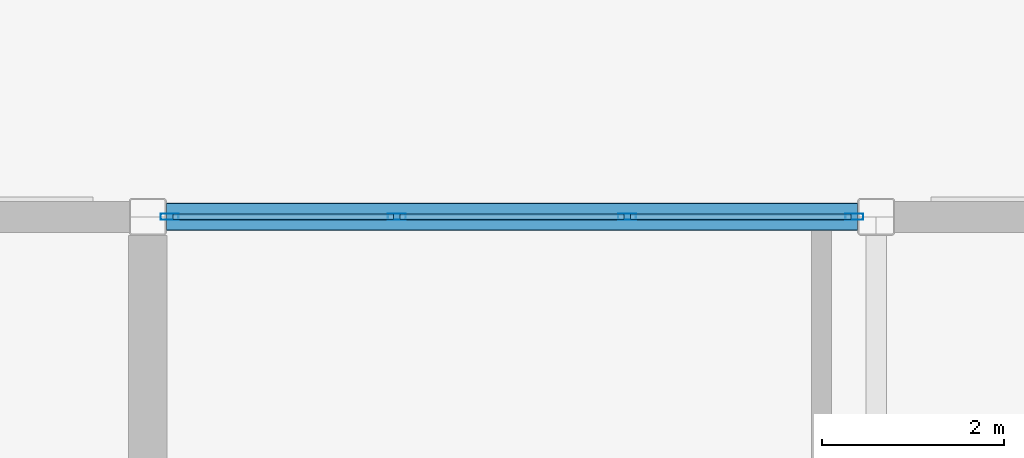
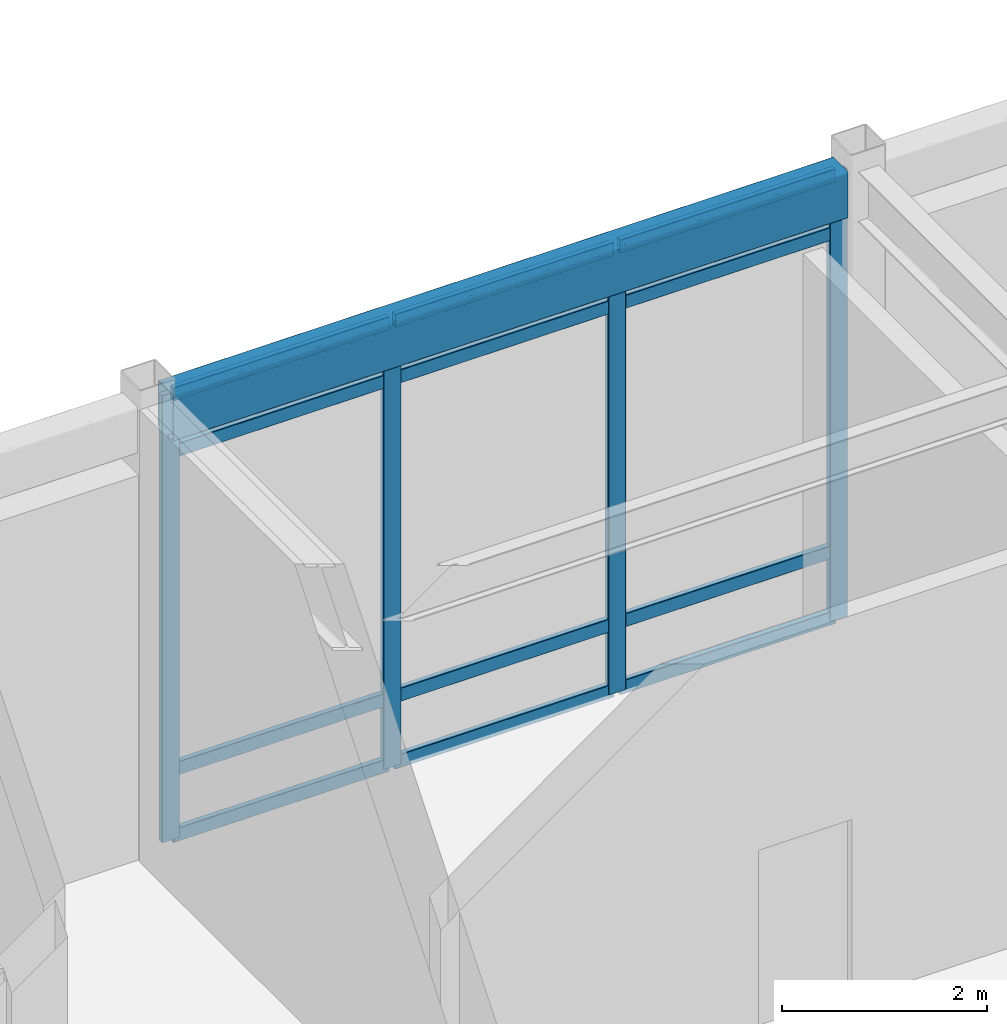
# One storey, part 89 of 128: 16 members, 1 beam, 1 element without a shape of its own.
"""IFC4 building model written with IfcOpenShell, lengths in metres."""

import ifcopenshell
import ifcopenshell.guid

model = None  # the IFC model being written
_history = None  # IfcOwnerHistory: only IFC2X3 demands one
_inside = {}  # id of a spatial element -> (the spatial element, [elements in it])
_under = {}  # id of a project, library or spatial element -> (it, [spatial elements below it])
_declared = {}  # id of a project -> (the project, [libraries it declares])
_typed = {}  # id of a type object -> (the type object, [elements of that type])
_made_of = {}  # id of a material, layer set ... -> (it, [elements and type objects made of it])


def new_model(schema):
    """Start an empty IFC model of exactly this schema.

    Asked for "IFC4X3", IfcOpenShell would pick the latest addendum, in which some entities
    have other attributes; the version numbers below select the first issue.
    IFC2X3 requires an IfcOwnerHistory on every rooted entity: one is made here for all.
    """
    global model, _history
    if schema == "IFC4X3":
        model = ifcopenshell.file(schema_version=(4, 3, 0, 0))
    else:
        model = ifcopenshell.file(schema=schema)
    _inside.clear()
    _under.clear()
    _declared.clear()
    _typed.clear()
    _made_of.clear()
    _history = None
    if model.schema == "IFC2X3":
        org = make("IfcOrganization", Name="unknown")
        user = make(
            "IfcPersonAndOrganization",
            ThePerson=make("IfcPerson", FamilyName="unknown"),
            TheOrganization=org,
        )
        app = make(
            "IfcApplication",
            ApplicationDeveloper=org,
            Version="unknown",
            ApplicationFullName="unknown",
            ApplicationIdentifier="unknown",
        )
        _history = make(
            "IfcOwnerHistory",
            OwningUser=user,
            OwningApplication=app,
            ChangeAction="ADDED",
            CreationDate=0,
        )
    return model


def make(cls, **values):
    """One entity of the class cls with the attributes given. An attribute that is None is left unset."""
    return model.create_entity(
        cls, **{name: value for name, value in values.items() if value is not None}
    )


def rooted(cls, **values):
    """An entity with a GlobalId (a new one), such as an element, a storey or a relation."""
    return make(cls, GlobalId=ifcopenshell.guid.new(), OwnerHistory=_history, **values)


def si_unit(unit_type, name, prefix=None):
    """IfcSIUnit, for example si_unit("LENGTHUNIT", "METRE", prefix="MILLI")."""
    return make("IfcSIUnit", UnitType=unit_type, Prefix=prefix, Name=name)


def assignment(units):
    """IfcUnitAssignment: the units of a project."""
    return None if units is None else make("IfcUnitAssignment", Units=units)


def point(xyz):
    """IfcCartesianPoint."""
    return None if xyz is None else make("IfcCartesianPoint", Coordinates=xyz)


def direction(xyz):
    """IfcDirection."""
    return None if xyz is None else make("IfcDirection", DirectionRatios=xyz)


def frame(location, z_axis=None, x_axis=None):
    """IfcAxis2Placement3D, a coordinate frame: its origin and axes. An axis left out is left unset."""
    return make(
        "IfcAxis2Placement3D",
        Location=point(location),
        Axis=direction(z_axis),
        RefDirection=direction(x_axis),
    )


def frame_2d(location, x_axis=None):
    """IfcAxis2Placement2D, a coordinate frame in the plane: its origin and x axis."""
    return make(
        "IfcAxis2Placement2D", Location=point(location), RefDirection=direction(x_axis)
    )


def origin():
    """The frame at (0, 0, 0) with its axes left unset."""
    return frame((0.0, 0.0, 0.0))


def origin_2d():
    """The frame at (0, 0) in the plane with its x axis left unset."""
    return frame_2d((0.0, 0.0))


def place(relative_to, where):
    """IfcLocalPlacement: puts the frame where relative to a parent placement (None: the world)."""
    return make(
        "IfcLocalPlacement", PlacementRelTo=relative_to, RelativePlacement=where
    )


def context(
    kind, dimensions, precision=None, world=None, true_north=None, identifier=None
):
    """IfcGeometricRepresentationContext, for example the 3D "Model" context."""
    return make(
        "IfcGeometricRepresentationContext",
        ContextIdentifier=identifier,
        ContextType=kind,
        CoordinateSpaceDimension=dimensions,
        Precision=precision,
        WorldCoordinateSystem=world,
        TrueNorth=true_north,
    )


def subcontext(parent, identifier, kind, view, scale=None):
    """IfcGeometricRepresentationSubContext, for example "Body" below "Model"."""
    return make(
        "IfcGeometricRepresentationSubContext",
        ContextIdentifier=identifier,
        ContextType=kind,
        ParentContext=parent,
        TargetScale=scale,
        TargetView=view,
    )


def project(units=None, contexts=None):
    """IfcProject with its units and contexts."""
    return rooted(
        "IfcProject",
        Name="project",
        RepresentationContexts=contexts,
        UnitsInContext=assignment(units),
    )


def spatial(cls, under=None, at=None, **own):
    """A site, building, storey or space (cls), placed at a placement, below another one or the project."""
    s = rooted(cls, ObjectPlacement=at, **own)
    if under is not None:
        _under.setdefault(under.id(), (under, []))[1].append(s)
    return s


def profile(cls, at=None, kind="AREA", **sizes):
    """A parametric profile (cls). Its sizes go by their IFC names, for example OverallWidth=200.0."""
    return make(cls, ProfileType=kind, Position=at, **sizes)


def hollow_rectangle(**sizes):
    """IfcRectangleHollowProfileDef."""
    return profile("IfcRectangleHollowProfileDef", **sizes)


def extrude(swept, where, along, depth):
    """IfcExtrudedAreaSolid: the profile swept, set in the frame where, extruded along a direction by depth."""
    return make(
        "IfcExtrudedAreaSolid",
        SweptArea=swept,
        Position=where,
        ExtrudedDirection=direction(along),
        Depth=depth,
    )


def shape(context_of_items, identifier, shape_type, items):
    """IfcShapeRepresentation: the items that make up one representation, for example the "Body"."""
    return make(
        "IfcShapeRepresentation",
        ContextOfItems=context_of_items,
        RepresentationIdentifier=identifier,
        RepresentationType=shape_type,
        Items=items,
    )


def material(Name=None, Category=None):
    """IfcMaterial."""
    return make("IfcMaterial", Name=Name, Category=Category)


def material_profile(
    of_material, cross_section, Name=None, Category=None, Priority=None
):
    """IfcMaterialProfile: a cross section and its material."""
    return make(
        "IfcMaterialProfile",
        Name=Name,
        Material=of_material,
        Profile=cross_section,
        Priority=Priority,
        Category=Category,
    )


def profile_set(profiles, Name=None, composite=None):
    """IfcMaterialProfileSet."""
    return make(
        "IfcMaterialProfileSet",
        Name=Name,
        MaterialProfiles=profiles,
        CompositeProfile=composite,
    )


def made_of(thing, what):
    """Note that an element or type object is made of a material, layer set ...; save() writes the relation."""
    if what is not None:
        _made_of.setdefault(what.id(), (what, []))[1].append(thing)
    return thing


def type_object(cls, material=None, **own):
    """A type object (cls), such as IfcWallType, which elements share."""
    return made_of(rooted(cls, **own), material)


def element(
    cls,
    number,
    at=None,
    inside=None,
    cuts=None,
    type_object=None,
    material=None,
    context=None,
    identifier="Body",
    shape_type=None,
    held_by="IfcProductDefinitionShape",
    body=None,
    shapes=None,
    **own,
):
    """One element of the class cls, such as IfcWall. Its Tag is "e" and its number.

    at: its placement. inside: the storey or other place that contains it. cuts: it is an
    opening in that element (IfcRelVoidsElement). A single representation is given by context,
    identifier, shape_type and body (its items); several are given by shapes. held_by: the class
    of the entity that holds the representations. save() writes the other relations.
    """
    e = rooted(cls, Tag="e%d" % number, ObjectPlacement=at, **own)
    if body is not None:
        shapes = [shape(context, identifier, shape_type, body)]
    if shapes is not None:
        e.Representation = make(held_by, Representations=shapes)
    if inside is not None:
        _inside.setdefault(inside.id(), (inside, []))[1].append(e)
    if cuts is not None:
        rooted(
            "IfcRelVoidsElement", RelatingBuildingElement=cuts, RelatedOpeningElement=e
        )
    if type_object is not None:
        _typed.setdefault(type_object.id(), (type_object, []))[1].append(e)
    return made_of(e, material)


def aggregate(whole, parts):
    """IfcRelAggregates: a whole, such as a stair, and the parts it consists of."""
    return rooted("IfcRelAggregates", RelatingObject=whole, RelatedObjects=parts)


def save(model, path):
    """Write the relations noted so far, then the file.

    IfcRelAggregates (storeys below a building ...), IfcRelContainedInSpatialStructure (elements
    in a storey), IfcRelDefinesByType, IfcRelAssociatesMaterial and IfcRelDeclares: one each for
    every whole, place, type object, material and project.
    """
    for whole, parts in _under.values():
        aggregate(whole, parts)
    for where, things in _inside.values():
        rooted(
            "IfcRelContainedInSpatialStructure",
            RelatedElements=things,
            RelatingStructure=where,
        )
    for kind, things in _typed.values():
        rooted("IfcRelDefinesByType", RelatedObjects=things, RelatingType=kind)
    for what, things in _made_of.values():
        rooted("IfcRelAssociatesMaterial", RelatedObjects=things, RelatingMaterial=what)
    for by, libraries in _declared.values():
        rooted("IfcRelDeclares", RelatingContext=by, RelatedDefinitions=libraries)
    model.write(path)


model = new_model("IFC4")

# Units and contexts
model_context = context("Model", 3, precision=1e-05, world=origin(), true_north=direction((0.0, 1.0)))
body_context = subcontext(model_context, "Body", "Model", "MODEL_VIEW")
ifc_project = project(units=[si_unit("LENGTHUNIT", "METRE"), si_unit("AREAUNIT", "SQUARE_METRE"), si_unit("VOLUMEUNIT", "CUBIC_METRE"), si_unit("PLANEANGLEUNIT", "RADIAN"), si_unit("MASSUNIT", "GRAM", prefix="KILO")], contexts=[model_context])

# Site, building, storey
site_placement = place(None, origin())
site = spatial("IfcSite", under=ifc_project, at=site_placement, CompositionType="ELEMENT")
building_placement = place(site_placement, origin())
building = spatial("IfcBuilding", under=site, at=building_placement, Name="Solmirada Galleria", CompositionType="ELEMENT")
storey_placement = place(building_placement, origin())
storey = spatial("IfcBuildingStorey", under=building, at=storey_placement, Name="L00", CompositionType="ELEMENT", Elevation=0.0)

# Beam
ifc_material_1 = material(Name="Steel S355 / ASTM A500 Grade C", Category="steel")
ifc_material_profile_1 = material_profile(ifc_material_1, hollow_rectangle(XDim=0.304931640625, YDim=0.55908203125, WallThickness=0.01171875, InnerFilletRadius=0.01171875, OuterFilletRadius=0.023681640625, at=origin_2d()), Name="HSS22X12X1/2")
ifc_profile_set_1 = profile_set([ifc_material_profile_1], Name="Steel S355 / ASTM A500 Grade C")
beam_type = type_object("IfcBeamType", Name="BM-SPAND-W21", PredefinedType="SPANDREL", material=ifc_profile_set_1)
beam_placement = place(storey_placement, frame((144.202880859375, 120.0, 5.1005859375), z_axis=(1.0, 0.0, 0.0), x_axis=(0.0, 1.0, 0.0)))
element("IfcBeam", 1, at=beam_placement, inside=storey, type_object=beam_type, Name="Primary beam L01 X(144..152, 120)", PredefinedType="SPANDREL", context=body_context, shape_type="SweptSolid", body=[
    extrude(hollow_rectangle(XDim=0.304931640625, YDim=0.55908203125, WallThickness=0.01171875, InnerFilletRadius=0.01171875, OuterFilletRadius=0.023681640625, at=origin_2d()), origin(), (0.0, 0.0, 1.0), 7.59423828125),
])

# Curtain wall, members
ifc_material_2 = material(Name="Impact-resistant low-E double glazing", Category="glass")
curtain_wall_type = type_object("IfcCurtainWallType", Name="CW-FZ2-L00-B3-L076", PredefinedType="NOTDEFINED", material=ifc_material_2)
curtain_wall_placement = place(storey_placement, origin())
curtain_wall = element("IfcCurtainWall", 2, at=curtain_wall_placement, inside=storey, type_object=curtain_wall_type, Name="Terrace and arcade storefront CW-L00-010", PredefinedType="NOTDEFINED")
ifc_material_3 = material(Name="Anodised aluminium framing", Category="aluminium")
ifc_material_profile_2 = material_profile(ifc_material_3, hollow_rectangle(XDim=0.070068359375, YDim=0.199951171875, WallThickness=0.004150390625, InnerFilletRadius=0.004150390625, OuterFilletRadius=0.00830078125, at=origin_2d()), Name="ALU-MULL-200X70")
ifc_profile_set_2 = profile_set([ifc_material_profile_2], Name="Anodised aluminium framing")
member_type_1 = type_object("IfcMemberType", Name="CW-MULL-200", PredefinedType="MULLION", material=ifc_profile_set_2)
member_1_placement = place(storey_placement, frame((144.239990234375, 120.0, 0.0), z_axis=(0.0, 0.0, 1.0), x_axis=(0.0, 1.0, 0.0)))
member_1 = element("IfcMember", 3, at=member_1_placement, type_object=member_type_1, Name="CW05 mullion 1", PredefinedType="MULLION", context=body_context, shape_type="SweptSolid", body=[
    extrude(hollow_rectangle(XDim=0.070068359375, YDim=0.199951171875, WallThickness=0.004150390625, InnerFilletRadius=0.004150390625, OuterFilletRadius=0.00830078125, at=origin_2d()), origin(), (0.0, 0.0, 1.0), 5.320068359375),
])
member_2_placement = place(storey_placement, frame((146.735107421875, 120.0, 0.0), z_axis=(0.0, 0.0, 1.0), x_axis=(0.0, 1.0, 0.0)))
member_2 = element("IfcMember", 4, at=member_2_placement, type_object=member_type_1, Name="CW05 mullion 2", PredefinedType="MULLION", context=body_context, shape_type="SweptSolid", body=[
    extrude(hollow_rectangle(XDim=0.070068359375, YDim=0.199951171875, WallThickness=0.004150390625, InnerFilletRadius=0.004150390625, OuterFilletRadius=0.00830078125, at=origin_2d()), origin(), (0.0, 0.0, 1.0), 5.320068359375),
])
member_3_placement = place(storey_placement, frame((149.264892578125, 120.0, 0.0), z_axis=(0.0, 0.0, 1.0), x_axis=(0.0, 1.0, 0.0)))
member_3 = element("IfcMember", 5, at=member_3_placement, type_object=member_type_1, Name="CW05 mullion 3", PredefinedType="MULLION", context=body_context, shape_type="SweptSolid", body=[
    extrude(hollow_rectangle(XDim=0.070068359375, YDim=0.199951171875, WallThickness=0.004150390625, InnerFilletRadius=0.004150390625, OuterFilletRadius=0.00830078125, at=origin_2d()), origin(), (0.0, 0.0, 1.0), 5.320068359375),
])
member_4_placement = place(storey_placement, frame((151.760009765625, 120.0, 0.0), z_axis=(0.0, 0.0, 1.0), x_axis=(0.0, 1.0, 0.0)))
member_4 = element("IfcMember", 6, at=member_4_placement, type_object=member_type_1, Name="CW05 mullion 4", PredefinedType="MULLION", context=body_context, shape_type="SweptSolid", body=[
    extrude(hollow_rectangle(XDim=0.070068359375, YDim=0.199951171875, WallThickness=0.004150390625, InnerFilletRadius=0.004150390625, OuterFilletRadius=0.00830078125, at=origin_2d()), origin(), (0.0, 0.0, 1.0), 5.320068359375),
])
ifc_material_profile_3 = material_profile(ifc_material_3, hollow_rectangle(XDim=0.06494140625, YDim=0.159912109375, WallThickness=0.00390625, InnerFilletRadius=0.00390625, OuterFilletRadius=0.007568359375, at=origin_2d()), Name="ALU-TRAN-160X65")
ifc_profile_set_3 = profile_set([ifc_material_profile_3], Name="Anodised aluminium framing")
member_type_2 = type_object("IfcMemberType", Name="CW-TRAN-160", PredefinedType="USERDEFINED", material=ifc_profile_set_3)
member_5_placement = place(storey_placement, frame((144.27490234375, 120.0, 0.032470703125), z_axis=(1.0, 0.0, 0.0), x_axis=(0.0, 1.0, 0.0)))
member_5 = element("IfcMember", 7, at=member_5_placement, type_object=member_type_2, Name="CW05 transom 1.1", ObjectType="TRANSOM", PredefinedType="USERDEFINED", context=body_context, shape_type="SweptSolid", body=[
    extrude(hollow_rectangle(XDim=0.06494140625, YDim=0.159912109375, WallThickness=0.00390625, InnerFilletRadius=0.00390625, OuterFilletRadius=0.007568359375, at=origin_2d()), origin(), (0.0, 0.0, 1.0), 2.425048828125),
])
member_6_placement = place(storey_placement, frame((144.27490234375, 120.0, 0.820068359375), z_axis=(1.0, 0.0, 0.0), x_axis=(0.0, 1.0, 0.0)))
member_6 = element("IfcMember", 8, at=member_6_placement, type_object=member_type_2, Name="CW05 transom 1.2", ObjectType="TRANSOM", PredefinedType="USERDEFINED", context=body_context, shape_type="SweptSolid", body=[
    extrude(hollow_rectangle(XDim=0.06494140625, YDim=0.159912109375, WallThickness=0.00390625, InnerFilletRadius=0.00390625, OuterFilletRadius=0.007568359375, at=origin_2d()), origin(), (0.0, 0.0, 1.0), 2.425048828125),
])
member_7_placement = place(storey_placement, frame((144.27490234375, 120.0, 4.610107421875), z_axis=(1.0, 0.0, 0.0), x_axis=(0.0, 1.0, 0.0)))
member_7 = element("IfcMember", 9, at=member_7_placement, type_object=member_type_2, Name="CW05 transom 1.3", ObjectType="TRANSOM", PredefinedType="USERDEFINED", context=body_context, shape_type="SweptSolid", body=[
    extrude(hollow_rectangle(XDim=0.06494140625, YDim=0.159912109375, WallThickness=0.00390625, InnerFilletRadius=0.00390625, OuterFilletRadius=0.007568359375, at=origin_2d()), origin(), (0.0, 0.0, 1.0), 2.425048828125),
])
member_8_placement = place(storey_placement, frame((144.27490234375, 120.0, 5.28759765625), z_axis=(1.0, 0.0, 0.0), x_axis=(0.0, 1.0, 0.0)))
member_8 = element("IfcMember", 10, at=member_8_placement, type_object=member_type_2, Name="CW05 transom 1.4", ObjectType="TRANSOM", PredefinedType="USERDEFINED", context=body_context, shape_type="SweptSolid", body=[
    extrude(hollow_rectangle(XDim=0.06494140625, YDim=0.159912109375, WallThickness=0.00390625, InnerFilletRadius=0.00390625, OuterFilletRadius=0.007568359375, at=origin_2d()), origin(), (0.0, 0.0, 1.0), 2.425048828125),
])
member_9_placement = place(storey_placement, frame((146.77001953125, 120.0, 0.032470703125), z_axis=(1.0, 0.0, 0.0), x_axis=(0.0, 1.0, 0.0)))
member_9 = element("IfcMember", 11, at=member_9_placement, type_object=member_type_2, Name="CW05 transom 2.1", ObjectType="TRANSOM", PredefinedType="USERDEFINED", context=body_context, shape_type="SweptSolid", body=[
    extrude(hollow_rectangle(XDim=0.06494140625, YDim=0.159912109375, WallThickness=0.00390625, InnerFilletRadius=0.00390625, OuterFilletRadius=0.007568359375, at=origin_2d()), origin(), (0.0, 0.0, 1.0), 2.4599609375),
])
member_10_placement = place(storey_placement, frame((146.77001953125, 120.0, 0.820068359375), z_axis=(1.0, 0.0, 0.0), x_axis=(0.0, 1.0, 0.0)))
member_10 = element("IfcMember", 12, at=member_10_placement, type_object=member_type_2, Name="CW05 transom 2.2", ObjectType="TRANSOM", PredefinedType="USERDEFINED", context=body_context, shape_type="SweptSolid", body=[
    extrude(hollow_rectangle(XDim=0.06494140625, YDim=0.159912109375, WallThickness=0.00390625, InnerFilletRadius=0.00390625, OuterFilletRadius=0.007568359375, at=origin_2d()), origin(), (0.0, 0.0, 1.0), 2.4599609375),
])
member_11_placement = place(storey_placement, frame((146.77001953125, 120.0, 4.610107421875), z_axis=(1.0, 0.0, 0.0), x_axis=(0.0, 1.0, 0.0)))
member_11 = element("IfcMember", 13, at=member_11_placement, type_object=member_type_2, Name="CW05 transom 2.3", ObjectType="TRANSOM", PredefinedType="USERDEFINED", context=body_context, shape_type="SweptSolid", body=[
    extrude(hollow_rectangle(XDim=0.06494140625, YDim=0.159912109375, WallThickness=0.00390625, InnerFilletRadius=0.00390625, OuterFilletRadius=0.007568359375, at=origin_2d()), origin(), (0.0, 0.0, 1.0), 2.4599609375),
])
member_12_placement = place(storey_placement, frame((146.77001953125, 120.0, 5.28759765625), z_axis=(1.0, 0.0, 0.0), x_axis=(0.0, 1.0, 0.0)))
member_12 = element("IfcMember", 14, at=member_12_placement, type_object=member_type_2, Name="CW05 transom 2.4", ObjectType="TRANSOM", PredefinedType="USERDEFINED", context=body_context, shape_type="SweptSolid", body=[
    extrude(hollow_rectangle(XDim=0.06494140625, YDim=0.159912109375, WallThickness=0.00390625, InnerFilletRadius=0.00390625, OuterFilletRadius=0.007568359375, at=origin_2d()), origin(), (0.0, 0.0, 1.0), 2.4599609375),
])
member_13_placement = place(storey_placement, frame((149.300048828125, 120.0, 0.032470703125), z_axis=(1.0, 0.0, 0.0), x_axis=(0.0, 1.0, 0.0)))
member_13 = element("IfcMember", 15, at=member_13_placement, type_object=member_type_2, Name="CW05 transom 3.1", ObjectType="TRANSOM", PredefinedType="USERDEFINED", context=body_context, shape_type="SweptSolid", body=[
    extrude(hollow_rectangle(XDim=0.06494140625, YDim=0.159912109375, WallThickness=0.00390625, InnerFilletRadius=0.00390625, OuterFilletRadius=0.007568359375, at=origin_2d()), origin(), (0.0, 0.0, 1.0), 2.425048828125),
])
member_14_placement = place(storey_placement, frame((149.300048828125, 120.0, 0.820068359375), z_axis=(1.0, 0.0, 0.0), x_axis=(0.0, 1.0, 0.0)))
member_14 = element("IfcMember", 16, at=member_14_placement, type_object=member_type_2, Name="CW05 transom 3.2", ObjectType="TRANSOM", PredefinedType="USERDEFINED", context=body_context, shape_type="SweptSolid", body=[
    extrude(hollow_rectangle(XDim=0.06494140625, YDim=0.159912109375, WallThickness=0.00390625, InnerFilletRadius=0.00390625, OuterFilletRadius=0.007568359375, at=origin_2d()), origin(), (0.0, 0.0, 1.0), 2.425048828125),
])
member_15_placement = place(storey_placement, frame((149.300048828125, 120.0, 4.610107421875), z_axis=(1.0, 0.0, 0.0), x_axis=(0.0, 1.0, 0.0)))
member_15 = element("IfcMember", 17, at=member_15_placement, type_object=member_type_2, Name="CW05 transom 3.3", ObjectType="TRANSOM", PredefinedType="USERDEFINED", context=body_context, shape_type="SweptSolid", body=[
    extrude(hollow_rectangle(XDim=0.06494140625, YDim=0.159912109375, WallThickness=0.00390625, InnerFilletRadius=0.00390625, OuterFilletRadius=0.007568359375, at=origin_2d()), origin(), (0.0, 0.0, 1.0), 2.425048828125),
])
member_16_placement = place(storey_placement, frame((149.300048828125, 120.0, 5.28759765625), z_axis=(1.0, 0.0, 0.0), x_axis=(0.0, 1.0, 0.0)))
member_16 = element("IfcMember", 18, at=member_16_placement, type_object=member_type_2, Name="CW05 transom 3.4", ObjectType="TRANSOM", PredefinedType="USERDEFINED", context=body_context, shape_type="SweptSolid", body=[
    extrude(hollow_rectangle(XDim=0.06494140625, YDim=0.159912109375, WallThickness=0.00390625, InnerFilletRadius=0.00390625, OuterFilletRadius=0.007568359375, at=origin_2d()), origin(), (0.0, 0.0, 1.0), 2.425048828125),
])
aggregate(curtain_wall, [member_1, member_2, member_3, member_4, member_5, member_6, member_7, member_8, member_9, member_10, member_11, member_12, member_13, member_14, member_15, member_16])

save(model, "model.ifc")
